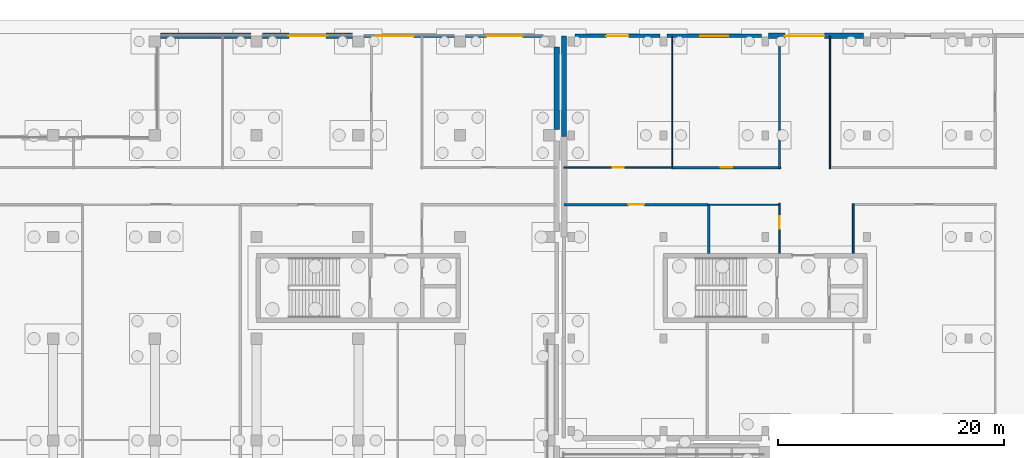
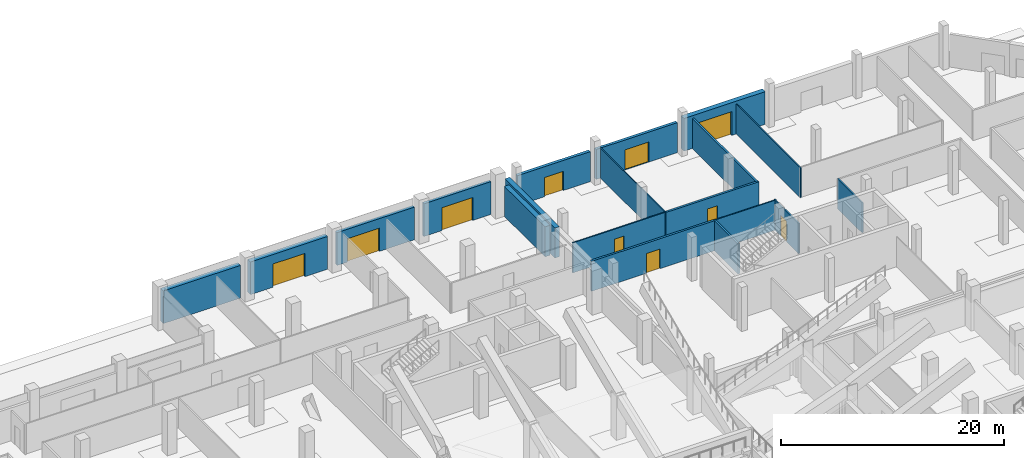
# One storey, part 38 of 53: 19 walls, 10 doors, 10 openings.
"""IFC4 building model written with IfcOpenShell, lengths in metres."""

from ifc_helpers import new_model, si_unit, direction, frame, frame_2d, origin, place, context, subcontext, project, spatial, rectangle, extrude, material, layer, layer_set, type_object, element, fill, save


model = new_model("IFC4")

# Units and contexts
model_context = context("Model", 3, precision=1e-05, world=origin(), true_north=direction((0.0, 1.0)))
body_context = subcontext(model_context, "Body", "Model", "MODEL_VIEW")
ifc_project = project(units=[si_unit("LENGTHUNIT", "METRE"), si_unit("AREAUNIT", "SQUARE_METRE"), si_unit("VOLUMEUNIT", "CUBIC_METRE"), si_unit("PLANEANGLEUNIT", "RADIAN"), si_unit("MASSUNIT", "GRAM", prefix="KILO"), si_unit("THERMODYNAMICTEMPERATUREUNIT", "KELVIN"), si_unit("POWERUNIT", "WATT")], contexts=[model_context])

# Site, building, storey
site_placement = place(None, origin())
site = spatial("IfcSite", under=ifc_project, at=site_placement, CompositionType="ELEMENT")
building_placement = place(site_placement, origin())
building = spatial("IfcBuilding", under=site, at=building_placement, Name="Sindhuravela Promenade Stadium", CompositionType="ELEMENT")
storey_placement = place(building_placement, origin())
storey = spatial("IfcBuildingStorey", under=building, at=storey_placement, Name="L00", CompositionType="ELEMENT", Elevation=0.0)

# Wall, opening, door
ifc_material_1 = material(Name="Dholpur sandstone ashlar (45 MPa)", Category="masonry")
ifc_layer_1 = layer(ifc_material_1, 0.2900390625)
ifc_layer_set_1 = layer_set([ifc_layer_1], Name="Dholpur sandstone ashlar (45 MPa)")
wall_type_1 = type_object("IfcWallType", Name="EX-WL-SND290", PredefinedType="SOLIDWALL", material=ifc_layer_set_1)
wall_1_placement = place(storey_placement, frame((153.5048828125, 161.800048828125, 0.0), z_axis=(0.0, 0.0, 1.0), x_axis=(1.0, 0.0, 0.0)))
wall_1 = element("IfcWall", 1, at=wall_1_placement, inside=storey, type_object=wall_type_1, Name="Exterior masonry wall EW10 NORTH L00", PredefinedType="SOLIDWALL", context=body_context, shape_type="SweptSolid", body=[
    extrude(rectangle(XDim=6.89013671875, YDim=0.2900390625, at=frame_2d((3.445068359375, 0.0))), origin(), (0.0, 0.0, 1.0), 3.580078125),
])
opening_1_placement = place(wall_1_placement, frame((1.844970703125, 0.0, 0.0)))
opening_1 = element("IfcOpeningElement", 2, at=opening_1_placement, cuts=wall_1, Name="Opening G01", PredefinedType="OPENING", context=body_context, shape_type="SweptSolid", body=[
    extrude(rectangle(XDim=3.199951171875, YDim=2.5, at=frame_2d((1.60009765625, 1.25))), frame((0.0, 0.155029296875, 0.0), z_axis=(0.0, -1.0, 0.0), x_axis=(1.0, 0.0, 0.0)), (0.0, 0.0, 1.0), 0.31005859375),
])
ifc_material_2 = material(Name="Anodised architectural aluminium 6063-T6", Category="aluminium")
door_type_1 = type_object("IfcDoorType", Name="DR-EXIT-3200x2500", OperationType="DOUBLE_DOOR_SINGLE_SWING", PredefinedType="DOOR", material=ifc_material_2)
door_1_placement = place(opening_1_placement, origin())
door_1 = element("IfcDoor", 3, at=door_1_placement, inside=storey, type_object=door_type_1, Name="Gate exit door G01", OperationType="DOUBLE_DOOR_SINGLE_SWING", OverallHeight=2.5, OverallWidth=3.199951171875, PredefinedType="DOOR", context=body_context, shape_type="SweptSolid", body=[
    extrude(rectangle(XDim=3.199951171875, YDim=2.5, at=frame_2d((1.60009765625, 1.25))), frame((0.0, 0.02490234375, 0.0), z_axis=(0.0, -1.0, 0.0), x_axis=(1.0, 0.0, 0.0)), (0.0, 0.0, 1.0), 0.050048828125),
])
fill(opening_1, door_1)

wall_2_placement = place(storey_placement, frame((171.304931640625, 161.800048828125, 0.0), z_axis=(0.0, 0.0, 1.0), x_axis=(1.0, 0.0, 0.0)))
wall_2 = element("IfcWall", 4, at=wall_2_placement, inside=storey, type_object=wall_type_1, Name="Exterior masonry wall EW10 Pavilion NE L00", PredefinedType="SOLIDWALL", context=body_context, shape_type="SweptSolid", body=[
    extrude(rectangle(XDim=8.39013671875, YDim=0.2900390625, at=frame_2d((4.195068359375, 0.0))), origin(), (0.0, 0.0, 1.0), 3.280029296875),
])
opening_2_placement = place(wall_2_placement, frame((2.969970703125, 0.0, 0.0)))
opening_2 = element("IfcOpeningElement", 5, at=opening_2_placement, cuts=wall_2, Name="Opening GT05", PredefinedType="OPENING", context=body_context, shape_type="SweptSolid", body=[
    extrude(rectangle(XDim=2.449951171875, YDim=2.199951171875, at=frame_2d((1.22509765625, 1.10009765625))), frame((0.0, 0.155029296875, 0.0), z_axis=(0.0, -1.0, 0.0), x_axis=(1.0, 0.0, 0.0)), (0.0, 0.0, 1.0), 0.31005859375),
])
ifc_material_3 = material(Name="Architectural wrought steel E350", Category="steel")
door_type_2 = type_object("IfcDoorType", Name="DR-GATE-2450x2200", OperationType="DOUBLE_DOOR_SINGLE_SWING", PredefinedType="GATE", material=ifc_material_3)
door_2_placement = place(opening_2_placement, origin())
door_2 = element("IfcDoor", 6, at=door_2_placement, inside=storey, type_object=door_type_2, Name="Promenade court exit gate GT05", OperationType="DOUBLE_DOOR_SINGLE_SWING", OverallHeight=2.199951171875, OverallWidth=2.449951171875, PredefinedType="GATE", context=body_context, shape_type="SweptSolid", body=[
    extrude(rectangle(XDim=2.449951171875, YDim=2.199951171875, at=frame_2d((1.22509765625, 1.10009765625))), frame((0.0, 0.02490234375, 0.0), z_axis=(0.0, -1.0, 0.0), x_axis=(1.0, 0.0, 0.0)), (0.0, 0.0, 1.0), 0.050048828125),
])
fill(opening_2, door_2)

ifc_layer_2 = layer(ifc_material_1, 0.31005859375)
ifc_layer_set_2 = layer_set([ifc_layer_2], Name="Dholpur sandstone ashlar (45 MPa)")
wall_type_2 = type_object("IfcWallType", Name="EX-WL-SND310", PredefinedType="SOLIDWALL", material=ifc_layer_set_2)
wall_3_placement = place(storey_placement, frame((144.5048828125, 161.800048828125, 0.0), z_axis=(0.0, 0.0, 1.0), x_axis=(1.0, 0.0, 0.0)))
wall_3 = element("IfcWall", 7, at=wall_3_placement, inside=storey, type_object=wall_type_2, Name="Exterior masonry wall EW09 NORTH L00", PredefinedType="SOLIDWALL", context=body_context, shape_type="SweptSolid", body=[
    extrude(rectangle(XDim=7.990234375, YDim=0.31005859375, at=frame_2d((3.9951171875, 0.0))), origin(), (0.0, 0.0, 1.0), 3.580078125),
])
opening_3_placement = place(wall_3_placement, frame((1.0849609375, 0.0, 0.0)))
opening_3 = element("IfcOpeningElement", 8, at=opening_3_placement, cuts=wall_3, Name="Opening E04", PredefinedType="OPENING", context=body_context, shape_type="SweptSolid", body=[
    extrude(rectangle(XDim=3.300048828125, YDim=2.550048828125, at=frame_2d((1.64990234375, 1.27490234375))), frame((0.0, 0.1650390625, 0.0), z_axis=(0.0, -1.0, 0.0), x_axis=(1.0, 0.0, 0.0)), (0.0, 0.0, 1.0), 0.330078125),
])
door_type_3 = type_object("IfcDoorType", Name="DR-EXIT-3300x2550", OperationType="DOUBLE_DOOR_SINGLE_SWING", PredefinedType="DOOR", material=ifc_material_2)
door_3_placement = place(opening_3_placement, origin())
door_3 = element("IfcDoor", 9, at=door_3_placement, inside=storey, type_object=door_type_3, Name="Final exit door E04", OperationType="DOUBLE_DOOR_SINGLE_SWING", OverallHeight=2.550048828125, OverallWidth=3.300048828125, PredefinedType="DOOR", context=body_context, shape_type="SweptSolid", body=[
    extrude(rectangle(XDim=3.300048828125, YDim=2.550048828125, at=frame_2d((1.64990234375, 1.27490234375))), frame((0.0, 0.02490234375, 0.0), z_axis=(0.0, -1.0, 0.0), x_axis=(1.0, 0.0, 0.0)), (0.0, 0.0, 1.0), 0.050048828125),
])
fill(opening_3, door_3)

wall_4_placement = place(storey_placement, frame((163.155029296875, 161.800048828125, 0.0), z_axis=(0.0, 0.0, 1.0), x_axis=(1.0, 0.0, 0.0)))
wall_4 = element("IfcWall", 10, at=wall_4_placement, inside=storey, type_object=wall_type_2, Name="Exterior masonry wall EW09 Pavilion NE L00", PredefinedType="SOLIDWALL", context=body_context, shape_type="SweptSolid", body=[
    extrude(rectangle(XDim=7.5400390625, YDim=0.31005859375, at=frame_2d((3.77001953125, 0.0))), origin(), (0.0, 0.0, 1.0), 3.280029296875),
])
opening_4_placement = place(wall_4_placement, frame((2.794921875, 0.0, 0.0)))
opening_4 = element("IfcOpeningElement", 11, at=opening_4_placement, cuts=wall_4, Name="Opening GT04", PredefinedType="OPENING", context=body_context, shape_type="SweptSolid", body=[
    extrude(rectangle(XDim=1.949951171875, YDim=2.10009765625, at=frame_2d((0.97509765625, 1.050048828125))), frame((0.0, 0.1650390625, 0.0), z_axis=(0.0, -1.0, 0.0), x_axis=(1.0, 0.0, 0.0)), (0.0, 0.0, 1.0), 0.330078125),
])
door_type_4 = type_object("IfcDoorType", Name="DR-GATE-1950x2100", OperationType="DOUBLE_DOOR_SINGLE_SWING", PredefinedType="GATE", material=ifc_material_3)
door_4_placement = place(opening_4_placement, origin())
door_4 = element("IfcDoor", 12, at=door_4_placement, inside=storey, type_object=door_type_4, Name="Promenade court exit gate GT04", OperationType="DOUBLE_DOOR_SINGLE_SWING", OverallHeight=2.10009765625, OverallWidth=1.949951171875, PredefinedType="GATE", context=body_context, shape_type="SweptSolid", body=[
    extrude(rectangle(XDim=1.949951171875, YDim=2.10009765625, at=frame_2d((0.97509765625, 1.050048828125))), frame((0.0, 0.02490234375, 0.0), z_axis=(0.0, -1.0, 0.0), x_axis=(1.0, 0.0, 0.0)), (0.0, 0.0, 1.0), 0.050048828125),
])
fill(opening_4, door_4)

ifc_layer_3 = layer(ifc_material_1, 0.47998046875)
ifc_layer_set_3 = layer_set([ifc_layer_3], Name="Dholpur sandstone ashlar (45 MPa)")
wall_type_3 = type_object("IfcWallType", Name="EX-WL-SND480", PredefinedType="SOLIDWALL", material=ifc_layer_set_3)
wall_5_placement = place(storey_placement, frame((135.5048828125, 161.800048828125, 0.0), z_axis=(0.0, 0.0, 1.0), x_axis=(1.0, 0.0, 0.0)))
wall_5 = element("IfcWall", 13, at=wall_5_placement, inside=storey, type_object=wall_type_3, Name="Exterior masonry wall EW08 NORTH L00", PredefinedType="SOLIDWALL", context=body_context, shape_type="SweptSolid", body=[
    extrude(rectangle(XDim=7.990234375, YDim=0.47998046875, at=frame_2d((3.9951171875, 0.0))), origin(), (0.0, 0.0, 1.0), 3.580078125),
])
opening_5_placement = place(wall_5_placement, frame((2.344970703125, 0.0, 0.0)))
opening_5 = element("IfcOpeningElement", 14, at=opening_5_placement, cuts=wall_5, Name="Opening E24", PredefinedType="OPENING", context=body_context, shape_type="SweptSolid", body=[
    extrude(rectangle(XDim=3.300048828125, YDim=2.550048828125, at=frame_2d((1.64990234375, 1.27490234375))), frame((0.0, 0.25, 0.0), z_axis=(0.0, -1.0, 0.0), x_axis=(1.0, 0.0, 0.0)), (0.0, 0.0, 1.0), 0.5),
])
door_5_placement = place(opening_5_placement, origin())
door_5 = element("IfcDoor", 15, at=door_5_placement, inside=storey, type_object=door_type_3, Name="Final exit door E24", OperationType="DOUBLE_DOOR_SINGLE_SWING", OverallHeight=2.550048828125, OverallWidth=3.300048828125, PredefinedType="DOOR", context=body_context, shape_type="SweptSolid", body=[
    extrude(rectangle(XDim=3.300048828125, YDim=2.550048828125, at=frame_2d((1.64990234375, 1.27490234375))), frame((0.0, 0.02490234375, 0.0), z_axis=(0.0, -1.0, 0.0), x_axis=(1.0, 0.0, 0.0)), (0.0, 0.0, 1.0), 0.050048828125),
])
fill(opening_5, door_5)

# Walls
wall_6_placement = place(storey_placement, frame((162.199951171875, 152.89990234375, 0.0), z_axis=(0.0, 0.0, 1.0), x_axis=(0.0, 1.0, 0.0)))
element("IfcWall", 16, at=wall_6_placement, inside=storey, type_object=wall_type_3, Name="Exterior masonry wall EW08 Pavilion NE L00", PredefinedType="SOLIDWALL", context=body_context, shape_type="SweptSolid", body=[
    extrude(rectangle(XDim=8.900146484375, YDim=0.47998046875, at=frame_2d((4.4501953125, 0.0))), origin(), (0.0, 0.0, 1.0), 3.280029296875),
])
ifc_layer_4 = layer(ifc_material_1, 0.5)
ifc_layer_set_4 = layer_set([ifc_layer_4], Name="Dholpur sandstone ashlar (45 MPa)")
wall_type_4 = type_object("IfcWallType", Name="EX-WL-SND500", PredefinedType="SOLIDWALL", material=ifc_layer_set_4)
wall_7_placement = place(storey_placement, frame((126.5048828125, 161.800048828125, 0.0), z_axis=(0.0, 0.0, 1.0), x_axis=(1.0, 0.0, 0.0)))
element("IfcWall", 17, at=wall_7_placement, inside=storey, type_object=wall_type_4, Name="Exterior masonry wall EW07 NORTH L00", PredefinedType="SOLIDWALL", context=body_context, shape_type="SweptSolid", body=[
    extrude(rectangle(XDim=7.990234375, YDim=0.5, at=frame_2d((3.9951171875, 0.0))), origin(), (0.0, 0.0, 1.0), 3.580078125),
])
wall_8_placement = place(storey_placement, frame((161.550048828125, 160.794921875, 0.0), z_axis=(0.0, 0.0, 1.0), x_axis=(0.0, -1.0, 0.0)))
element("IfcWall", 18, at=wall_8_placement, inside=storey, type_object=wall_type_4, Name="Exterior masonry wall EW07 NORTH L00", PredefinedType="SOLIDWALL", context=body_context, shape_type="SweptSolid", body=[
    extrude(rectangle(XDim=7.2900390625, YDim=0.5, at=frame_2d((3.64501953125, 0.0))), origin(), (0.0, 0.0, 1.0), 3.280029296875),
])

# Wall, opening, door
wall_9_placement = place(storey_placement, frame((180.304931640625, 161.800048828125, 0.0), z_axis=(0.0, 0.0, 1.0), x_axis=(1.0, 0.0, 0.0)))
wall_9 = element("IfcWall", 19, at=wall_9_placement, inside=storey, type_object=wall_type_4, Name="Exterior masonry wall EW07 Pavilion NE L00", PredefinedType="SOLIDWALL", context=body_context, shape_type="SweptSolid", body=[
    extrude(rectangle(XDim=8.39013671875, YDim=0.5, at=frame_2d((4.195068359375, 0.0))), origin(), (0.0, 0.0, 1.0), 3.580078125),
])
opening_6_placement = place(wall_9_placement, frame((1.445068359375, 0.0, 0.0)))
opening_6 = element("IfcOpeningElement", 20, at=opening_6_placement, cuts=wall_9, Name="Opening E10", PredefinedType="OPENING", context=body_context, shape_type="SweptSolid", body=[
    extrude(rectangle(XDim=3.5, YDim=2.60009765625, at=frame_2d((1.75, 1.300048828125))), frame((0.0, 0.260009765625, 0.0), z_axis=(0.0, -1.0, 0.0), x_axis=(1.0, 0.0, 0.0)), (0.0, 0.0, 1.0), 0.52001953125),
])
door_type_5 = type_object("IfcDoorType", Name="DR-EXIT-3500x2600", OperationType="DOUBLE_DOOR_SINGLE_SWING", PredefinedType="DOOR", material=ifc_material_2)
door_6_placement = place(opening_6_placement, origin())
door_6 = element("IfcDoor", 21, at=door_6_placement, inside=storey, type_object=door_type_5, Name="Final exit door E10", OperationType="DOUBLE_DOOR_SINGLE_SWING", OverallHeight=2.60009765625, OverallWidth=3.5, PredefinedType="DOOR", context=body_context, shape_type="SweptSolid", body=[
    extrude(rectangle(XDim=3.5, YDim=2.60009765625, at=frame_2d((1.75, 1.300048828125))), frame((0.0, 0.02490234375, 0.0), z_axis=(0.0, -1.0, 0.0), x_axis=(1.0, 0.0, 0.0)), (0.0, 0.0, 1.0), 0.050048828125),
])
fill(opening_6, door_6)

# Walls
ifc_material_4 = material(Name="Fire-rated gypsum partition board", Category="gypsum")
ifc_layer_5 = layer(ifc_material_4, 0.110107421875)
ifc_layer_set_5 = layer_set([ifc_layer_5], Name="Fire-rated gypsum partition board")
wall_type_5 = type_object("IfcWallType", Name="IN-WL-PAR110", PredefinedType="PARTITIONING", material=ifc_layer_set_5)
for number, where, z_axis, x_axis, name in (
    (22, (185.739990234375, 150.06005859375, 0.0), (0.0, 0.0, 1.0), (0.0, 1.0, 0.0), "Interior partition IW06 Pavilion NE L00"),
    (23, (171.7900390625, 161.760009765625, 0.0), (0.0, 0.0, 1.0), (0.0, -1.0, 0.0), "Interior partition IW06 Pavilion NE L00"),
):
    element("IfcWall", number, at=place(storey_placement, frame(where, z_axis=z_axis, x_axis=x_axis)), inside=storey, type_object=wall_type_5, Name=name, PredefinedType="PARTITIONING", context=body_context, shape_type="SweptSolid", body=[
        extrude(rectangle(XDim=11.699951171875, YDim=0.110107421875, at=frame_2d((5.85009765625, 0.0))), origin(), (0.0, 0.0, 1.0), 3.280029296875),
    ])
wall_10_placement = place(storey_placement, frame((175.0400390625, 146.860107421875, 0.0), z_axis=(0.0, 0.0, 1.0), x_axis=(1.0, 0.0, 0.0)))
element("IfcWall", 24, at=wall_10_placement, inside=storey, type_object=wall_type_5, Name="Interior partition IW06 Pavilion NE L00", PredefinedType="PARTITIONING", context=body_context, shape_type="SweptSolid", body=[
    extrude(rectangle(XDim=6.300048828125, YDim=0.110107421875, at=frame_2d((3.14990234375, 0.0))), origin(), (0.0, 0.0, 1.0), 3.280029296875),
])

# Wall, opening, door
ifc_layer_6 = layer(ifc_material_4, 0.1298828125)
ifc_layer_set_6 = layer_set([ifc_layer_6], Name="Fire-rated gypsum partition board")
wall_type_6 = type_object("IfcWallType", Name="IN-WL-PAR130", PredefinedType="PARTITIONING", material=ifc_layer_set_6)
wall_11_placement = place(storey_placement, frame((162.199951171875, 150.139892578125, 0.0), z_axis=(0.0, 0.0, 1.0), x_axis=(1.0, 0.0, 0.0)))
wall_11 = element("IfcWall", 25, at=wall_11_placement, inside=storey, type_object=wall_type_6, Name="Corridor partition IW05 Spectator Accreditation Foyer NE 3", PredefinedType="PARTITIONING", context=body_context, shape_type="SweptSolid", body=[
    extrude(rectangle(XDim=9.590087890625, YDim=0.1298828125, at=frame_2d((4.794921875, 0.0))), origin(), (0.0, 0.0, 1.0), 3.280029296875),
])
opening_7_placement = place(wall_11_placement, frame((4.320068359375, 0.0, 0.0)))
opening_7 = element("IfcOpeningElement", 26, at=opening_7_placement, cuts=wall_11, Name="Opening ID10", PredefinedType="OPENING", context=body_context, shape_type="SweptSolid", body=[
    extrude(rectangle(XDim=0.949951171875, YDim=2.179931640625, at=frame_2d((0.47509765625, 1.08984375))), frame((0.0, 0.074951171875, 0.0), z_axis=(0.0, -1.0, 0.0), x_axis=(1.0, 0.0, 0.0)), (0.0, 0.0, 1.0), 0.14990234375),
])
ifc_material_5 = material(Name="Architectural teak timber leaf", Category="wood")
door_type_6 = type_object("IfcDoorType", Name="DR-INT-950x2180", OperationType="NOTDEFINED", PredefinedType="DOOR", material=ifc_material_5)
door_7_placement = place(opening_7_placement, origin())
door_7 = element("IfcDoor", 27, at=door_7_placement, inside=storey, type_object=door_type_6, Name="Spectator Accreditation Foyer NE 3 door", OperationType="SINGLE_SWING_LEFT", OverallHeight=2.179931640625, OverallWidth=0.949951171875, PredefinedType="DOOR", context=body_context, shape_type="SweptSolid", body=[
    extrude(rectangle(XDim=0.949951171875, YDim=2.179931640625, at=frame_2d((0.47509765625, 1.08984375))), frame((0.0, 0.02490234375, 0.0), z_axis=(0.0, -1.0, 0.0), x_axis=(1.0, 0.0, 0.0)), (0.0, 0.0, 1.0), 0.050048828125),
])
fill(opening_7, door_7)

wall_12_placement = place(storey_placement, frame((181.260009765625, 142.552001953125, 0.0), z_axis=(0.0, 0.0, 1.0), x_axis=(0.0, 1.0, 0.0)))
wall_12 = element("IfcWall", 28, at=wall_12_placement, inside=storey, type_object=wall_type_6, Name="Corridor partition IW05 Gate Ticketing Hall NE 6", PredefinedType="PARTITIONING", context=body_context, shape_type="SweptSolid", body=[
    extrude(rectangle(XDim=4.427978515625, YDim=0.1298828125, at=frame_2d((2.2138671875, 0.0))), origin(), (0.0, 0.0, 1.0), 3.280029296875),
])
opening_8_placement = place(wall_12_placement, frame((2.167236328125, 0.0, 0.0)))
opening_8 = element("IfcOpeningElement", 29, at=opening_8_placement, cuts=wall_12, Name="Opening ID13", PredefinedType="OPENING", context=body_context, shape_type="SweptSolid", body=[
    extrude(rectangle(XDim=1.1201171875, YDim=2.219970703125, at=frame_2d((0.56005859375, 1.10986328125))), frame((0.0, 0.074951171875, 0.0), z_axis=(0.0, -1.0, 0.0), x_axis=(1.0, 0.0, 0.0)), (0.0, 0.0, 1.0), 0.14990234375),
])
door_type_7 = type_object("IfcDoorType", Name="DR-INT-1120x2220", OperationType="NOTDEFINED", PredefinedType="DOOR", material=ifc_material_5)
door_8_placement = place(opening_8_placement, origin())
door_8 = element("IfcDoor", 30, at=door_8_placement, inside=storey, type_object=door_type_7, Name="Gate Ticketing Hall NE 6 door", OperationType="SINGLE_SWING_RIGHT", OverallHeight=2.219970703125, OverallWidth=1.1201171875, PredefinedType="DOOR", context=body_context, shape_type="SweptSolid", body=[
    extrude(rectangle(XDim=1.1201171875, YDim=2.219970703125, at=frame_2d((0.56005859375, 1.10986328125))), frame((0.0, 0.02490234375, 0.0), z_axis=(0.0, -1.0, 0.0), x_axis=(1.0, 0.0, 0.0)), (0.0, 0.0, 1.0), 0.050048828125),
])
fill(opening_8, door_8)

# Walls
ifc_layer_7 = layer(ifc_material_4, 0.14990234375)
ifc_layer_set_7 = layer_set([ifc_layer_7], Name="Fire-rated gypsum partition board")
wall_type_7 = type_object("IfcWallType", Name="IN-WL-PAR150", PredefinedType="PARTITIONING", material=ifc_layer_set_7)
wall_13_placement = place(storey_placement, frame((187.800048828125, 142.552001953125, 0.0), z_axis=(0.0, 0.0, 1.0), x_axis=(0.0, 1.0, 0.0)))
element("IfcWall", 31, at=wall_13_placement, inside=storey, type_object=wall_type_7, Name="Interior partition IW04 Pavilion NE L00", PredefinedType="PARTITIONING", context=body_context, shape_type="SweptSolid", body=[
    extrude(rectangle(XDim=4.387939453125, YDim=0.14990234375, at=frame_2d((2.19384765625, 0.0))), origin(), (0.0, 0.0, 1.0), 3.280029296875),
])
ifc_layer_8 = layer(ifc_material_4, 0.195068359375)
ifc_layer_set_8 = layer_set([ifc_layer_8], Name="Fire-rated gypsum partition board")
wall_type_8 = type_object("IfcWallType", Name="IN-WL-PAR195", PredefinedType="PARTITIONING", material=ifc_layer_set_8)
wall_14_placement = place(storey_placement, frame((175.0, 146.93994140625, 0.0), z_axis=(0.0, 0.0, 1.0), x_axis=(0.0, -1.0, 0.0)))
element("IfcWall", 32, at=wall_14_placement, inside=storey, type_object=wall_type_8, Name="Interior partition IW02 Pavilion NE L00", PredefinedType="PARTITIONING", context=body_context, shape_type="SweptSolid", body=[
    extrude(rectangle(XDim=4.387939453125, YDim=0.195068359375, at=frame_2d((2.19384765625, 0.0))), origin(), (0.0, 0.0, 1.0), 3.280029296875),
])
wall_15_placement = place(storey_placement, frame((181.260009765625, 161.760009765625, 0.0), z_axis=(0.0, 0.0, 1.0), x_axis=(0.0, -1.0, 0.0)))
element("IfcWall", 33, at=wall_15_placement, inside=storey, type_object=wall_type_8, Name="Interior partition IW02 Pavilion NE L00", PredefinedType="PARTITIONING", context=body_context, shape_type="SweptSolid", body=[
    extrude(rectangle(XDim=11.699951171875, YDim=0.195068359375, at=frame_2d((5.85009765625, 0.0))), origin(), (0.0, 0.0, 1.0), 3.280029296875),
])

# Wall, opening, door
ifc_layer_9 = layer(ifc_material_4, 0.219970703125)
ifc_layer_set_9 = layer_set([ifc_layer_9], Name="Fire-rated gypsum partition board")
wall_type_9 = type_object("IfcWallType", Name="IN-WL-PAR220", PredefinedType="PARTITIONING", material=ifc_layer_set_9)
wall_16_placement = place(storey_placement, frame((175.0, 146.860107421875, 0.0), z_axis=(0.0, 0.0, 1.0), x_axis=(-1.0, 0.0, 0.0)))
wall_16 = element("IfcWall", 34, at=wall_16_placement, inside=storey, type_object=wall_type_9, Name="Corridor partition IW01 Spectator Accreditation Foyer NE", PredefinedType="PARTITIONING", context=body_context, shape_type="SweptSolid", body=[
    extrude(rectangle(XDim=12.800048828125, YDim=0.219970703125, at=frame_2d((6.39990234375, 0.0))), origin(), (0.0, 0.0, 1.0), 3.280029296875),
])
opening_9_placement = place(wall_16_placement, frame((5.699951171875, 0.0, 0.0)))
opening_9 = element("IfcOpeningElement", 35, at=opening_9_placement, cuts=wall_16, Name="Opening ID03", PredefinedType="OPENING", context=body_context, shape_type="SweptSolid", body=[
    extrude(rectangle(XDim=1.39990234375, YDim=2.14990234375, at=frame_2d((0.699951171875, 1.074951171875))), frame((0.0, 0.119873046875, 0.0), z_axis=(0.0, -1.0, 0.0), x_axis=(1.0, 0.0, 0.0)), (0.0, 0.0, 1.0), 0.239990234375),
])
door_type_8 = type_object("IfcDoorType", Name="DR-INT-1400x2150", OperationType="DOUBLE_DOOR_SINGLE_SWING", PredefinedType="DOOR", material=ifc_material_5)
door_9_placement = place(opening_9_placement, origin())
door_9 = element("IfcDoor", 36, at=door_9_placement, inside=storey, type_object=door_type_8, Name="Spectator Accreditation Foyer NE door", OperationType="DOUBLE_DOOR_SINGLE_SWING", OverallHeight=2.14990234375, OverallWidth=1.39990234375, PredefinedType="DOOR", context=body_context, shape_type="SweptSolid", body=[
    extrude(rectangle(XDim=1.39990234375, YDim=2.14990234375, at=frame_2d((0.699951171875, 1.074951171875))), frame((0.0, 0.02490234375, 0.0), z_axis=(0.0, -1.0, 0.0), x_axis=(1.0, 0.0, 0.0)), (0.0, 0.0, 1.0), 0.050048828125),
])
fill(opening_9, door_9)

wall_17_placement = place(storey_placement, frame((171.7900390625, 150.139892578125, 0.0), z_axis=(0.0, 0.0, 1.0), x_axis=(1.0, 0.0, 0.0)))
wall_17 = element("IfcWall", 37, at=wall_17_placement, inside=storey, type_object=wall_type_9, Name="Corridor partition IW01 Bag Check and Security Hall NE 4", PredefinedType="PARTITIONING", context=body_context, shape_type="SweptSolid", body=[
    extrude(rectangle(XDim=9.58984375, YDim=0.219970703125, at=frame_2d((4.794921875, 0.0))), origin(), (0.0, 0.0, 1.0), 3.280029296875),
])
opening_10_placement = place(wall_17_placement, frame((4.284912109375, 0.0, 0.0)))
opening_10 = element("IfcOpeningElement", 38, at=opening_10_placement, cuts=wall_17, Name="Opening ID11", PredefinedType="OPENING", context=body_context, shape_type="SweptSolid", body=[
    extrude(rectangle(XDim=1.02001953125, YDim=2.159912109375, at=frame_2d((0.510009765625, 1.080078125))), frame((0.0, 0.119873046875, 0.0), z_axis=(0.0, -1.0, 0.0), x_axis=(1.0, 0.0, 0.0)), (0.0, 0.0, 1.0), 0.239990234375),
])
door_type_9 = type_object("IfcDoorType", Name="DR-INT-1020x2160", OperationType="NOTDEFINED", PredefinedType="DOOR", material=ifc_material_5)
door_10_placement = place(opening_10_placement, origin())
door_10 = element("IfcDoor", 39, at=door_10_placement, inside=storey, type_object=door_type_9, Name="Bag Check and Security Hall NE 4 door", OperationType="SINGLE_SWING_RIGHT", OverallHeight=2.159912109375, OverallWidth=1.02001953125, PredefinedType="DOOR", context=body_context, shape_type="SweptSolid", body=[
    extrude(rectangle(XDim=1.02001953125, YDim=2.159912109375, at=frame_2d((0.510009765625, 1.080078125))), frame((0.0, 0.02490234375, 0.0), z_axis=(0.0, -1.0, 0.0), x_axis=(1.0, 0.0, 0.0)), (0.0, 0.0, 1.0), 0.050048828125),
])
fill(opening_10, door_10)

save(model, "model.ifc")
